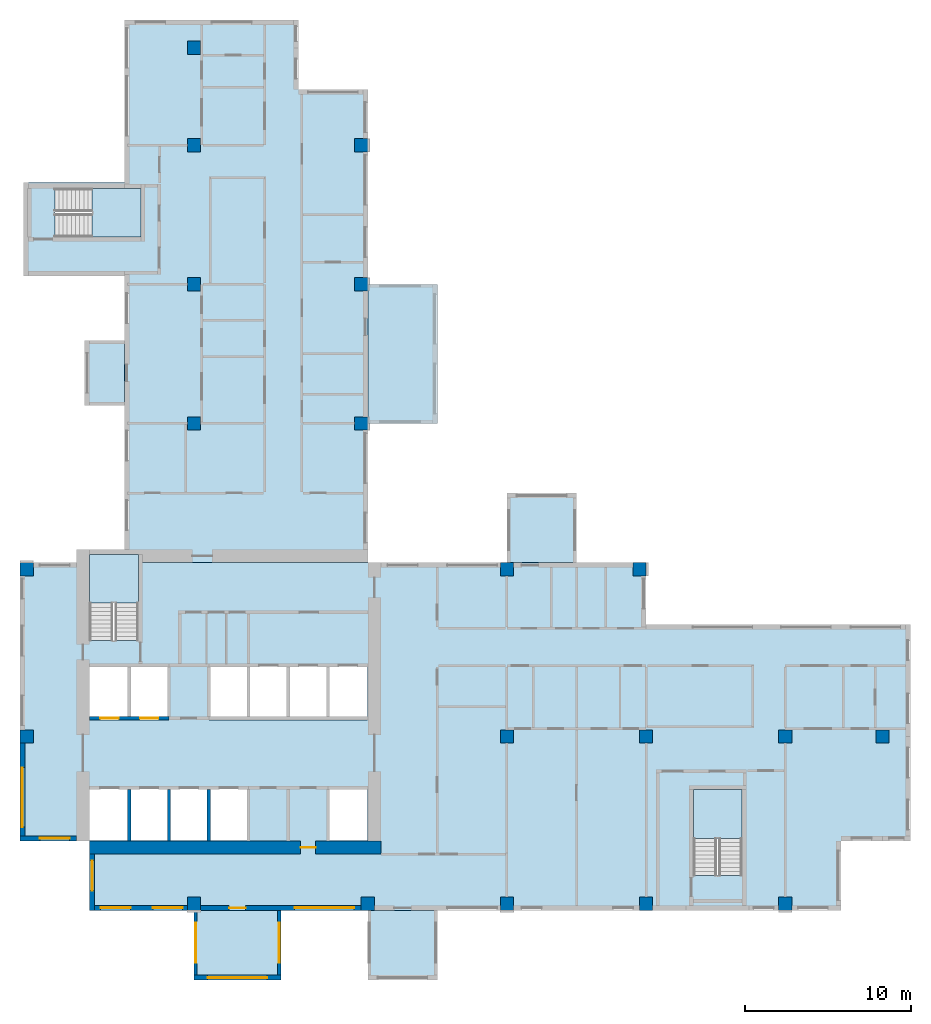
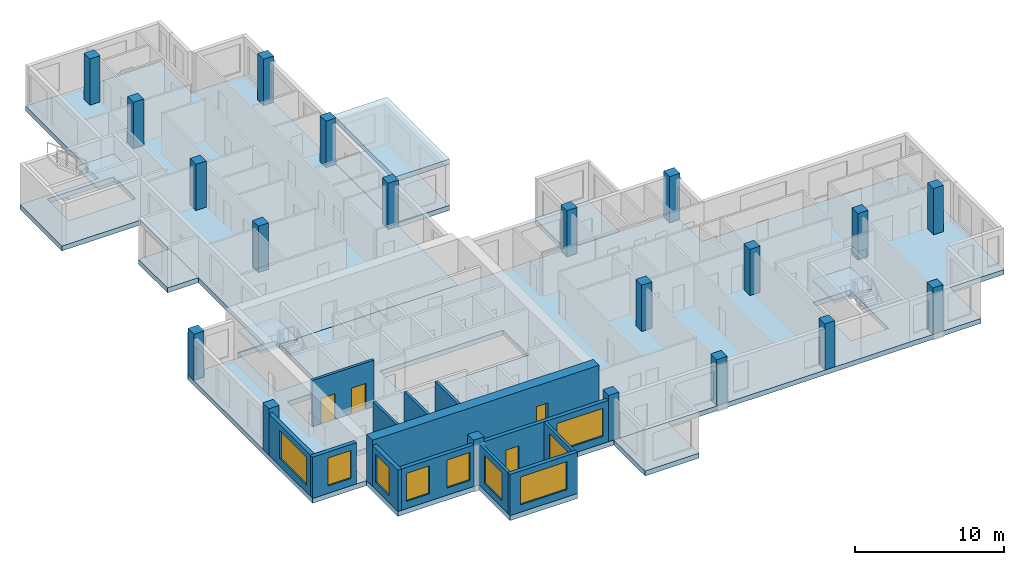
# One storey, part 1 of 12: 20 columns, 13 walls, 11 slabs, 9 windows, 4 doors, 13 openings, 3 elements without a shape of their own.
"""IFC4 building model written with IfcOpenShell, lengths in metres."""

from ifc_helpers import new_model, si_unit, direction, frame, frame_2d, origin, origin_2d, place, context, subcontext, project, spatial, polyline, rectangle, outline, extrude, source, transform, mapped, material, layer, layer_set, material_profile, profile_set, type_object, element, fill, aggregate, save


model = new_model("IFC4")

# Units and contexts
model_context = context("Model", 3, precision=1e-05, world=origin(), true_north=direction((0.0, 1.0)))
body_context = subcontext(model_context, "Body", "Model", "MODEL_VIEW")
ifc_project = project(units=[si_unit("LENGTHUNIT", "METRE"), si_unit("AREAUNIT", "SQUARE_METRE"), si_unit("VOLUMEUNIT", "CUBIC_METRE"), si_unit("PLANEANGLEUNIT", "RADIAN"), si_unit("MASSUNIT", "GRAM", prefix="KILO")], contexts=[model_context])

# Site, building, storey
site_placement = place(None, origin())
site = spatial("IfcSite", under=ifc_project, at=site_placement, CompositionType="ELEMENT")
building_placement = place(site_placement, origin())
building = spatial("IfcBuilding", under=site, at=building_placement, Name="Aurelian Terraces", CompositionType="ELEMENT")
storey_placement = place(building_placement, frame((0.0, 0.0, 242.4)))
storey = spatial("IfcBuildingStorey", under=building, at=storey_placement, Name="L55", CompositionType="ELEMENT", Elevation=242.4)

# Columns
ifc_material_1 = material(Name="Concrete fc' 70 MPa", Category="concrete")
ifc_material_profile = material_profile(ifc_material_1, rectangle(XDim=0.8, YDim=0.8, at=origin_2d()))
ifc_profile_set = profile_set([ifc_material_profile], Name="Concrete fc' 70 MPa")
column_type = type_object("IfcColumnType", Name="RC COLUMN 800X800 FC70", PredefinedType="COLUMN", material=ifc_profile_set)
shared_shape_1 = source(origin(), body_context, "Body", "SweptSolid", [
    extrude(rectangle(XDim=0.8, YDim=0.8, at=origin_2d()), origin(), (0.0, 0.0, 1.0), 3.8),
])
for number, where, z_axis, x_axis, name in (
    (1, (10.5, 0.4, 0.0), (0.0, 0.0, 1.0), (1.0, 0.0, 0.0), "Column 2/A L55"),
    (2, (21.0, 0.4, 0.0), (0.0, 0.0, 1.0), (1.0, 0.0, 0.0), "Column 3/A L55"),
    (3, (29.4, 0.4, 0.0), (0.0, 0.0, 1.0), (1.0, 0.0, 0.0), "Column 4/A L55"),
    (4, (37.8, 0.4, 0.0), (0.0, 0.0, 1.0), (1.0, 0.0, 0.0), "Column 5/A L55"),
    (5, (46.2, 0.4, 0.0), (0.0, 0.0, 1.0), (1.0, 0.0, 0.0), "Column 6/A L55"),
    (6, (0.4, 10.5, 0.0), (0.0, 0.0, 1.0), (1.0, 0.0, 0.0), "Column 1/B L55"),
    (7, (29.4, 10.5, 0.0), (0.0, 0.0, 1.0), (1.0, 0.0, 0.0), "Column 4/B L55"),
    (8, (37.8, 10.5, 0.0), (0.0, 0.0, 1.0), (1.0, 0.0, 0.0), "Column 5/B L55"),
    (9, (46.2, 10.5, 0.0), (0.0, 0.0, 1.0), (1.0, 0.0, 0.0), "Column 6/B L55"),
    (10, (52.08, 10.5, 0.0), (0.0, 0.0, 1.0), (1.0, 0.0, 0.0), "Column 7/B L55"),
    (11, (0.4, 20.6, 0.0), (0.0, 0.0, 1.0), (1.0, 0.0, 0.0), "Column 1/C L55"),
    (12, (29.4, 20.6, 0.0), (0.0, 0.0, 1.0), (1.0, 0.0, 0.0), "Column 4/C L55"),
    (13, (37.4, 20.6, 0.0), (0.0, 0.0, 1.0), (1.0, 0.0, 0.0), "Column 5/C L55"),
    (14, (10.5, 29.4, 0.0), (0.0, 0.0, 1.0), (1.0, 0.0, 0.0), "Column 2/D L55"),
    (15, (20.6, 29.4, 0.0), (0.0, 0.0, 1.0), (1.0, 0.0, 0.0), "Column 3/D L55"),
    (16, (10.5, 37.8, 0.0), (0.0, 0.0, 1.0), (1.0, 0.0, 0.0), "Column 2/E L55"),
    (17, (20.6, 37.8, 0.0), (0.0, 0.0, 1.0), (1.0, 0.0, 0.0), "Column 3/E L55"),
    (18, (10.5, 46.2, 0.0), (0.0, 0.0, 1.0), (1.0, 0.0, 0.0), "Column 2/F L55"),
    (19, (20.6, 46.2, 0.0), (0.0, 0.0, 1.0), (1.0, 0.0, 0.0), "Column 3/F L55"),
    (20, (10.5, 52.08, 0.0), (0.0, 0.0, 1.0), (1.0, 0.0, 0.0), "Column 2/G L55"),
):
    element("IfcColumn", number, at=place(storey_placement, frame(where, z_axis=z_axis, x_axis=x_axis)), inside=storey, type_object=column_type, Name=name, PredefinedType="COLUMN", context=body_context, shape_type="MappedRepresentation", body=[
        mapped(shared_shape_1, transform((0.0, 0.0, 0.0), scale=1.0)),
    ])

# Slabs
ifc_material_2 = material(Name="Concrete fc' 40 MPa", Category="concrete")
ifc_layer_1 = layer(ifc_material_2, 0.4)
ifc_layer_set_1 = layer_set([ifc_layer_1], Name="PT FLAT PLATE 400")
slab_type_1 = type_object("IfcSlabType", Name="PT FLAT PLATE 400", PredefinedType="FLOOR", material=ifc_layer_set_1)
shared_shape_2 = source(origin(), body_context, "Body", "SweptSolid", [
    extrude(outline(polyline([(0.2, 43.95), (6.3, 43.95), (6.3, 49.56), (6.3, 53.76), (10.5, 53.76), (16.8, 53.76), (16.8, 49.56), (21.0, 49.56), (21.0, 21.0), (7.14, 21.0), (7.14, 21.49), (4.21, 21.49), (4.21, 21.0), (4.2, 21.0), (4.2, 21.6), (6.3, 21.6), (6.3, 38.3), (0.2, 38.3), (0.2, 43.95)]), holes=[polyline([(7.29, 43.59), (2.11, 43.59), (2.11, 40.66), (7.29, 40.66), (7.29, 43.59)])]), origin(), (0.0, 0.0, 1.0), 0.4),
])
slab_1_placement = place(storey_placement, frame((0.0, 0.0, -0.4)))
element("IfcSlab", 21, at=slab_1_placement, inside=storey, type_object=slab_type_1, Name="Floor slab W L55", PredefinedType="FLOOR", context=body_context, shape_type="MappedRepresentation", body=[
    mapped(shared_shape_2, transform((0.0, 0.0, 0.0), scale=1.0)),
])
shared_shape_3 = source(origin(), body_context, "Body", "SweptSolid", [
    extrude(outline(polyline([(53.76, 4.2), (49.56, 4.2), (49.56, 0.0), (21.0, 0.0), (4.2, 0.0), (4.2, 4.2), (0.0, 4.2), (0.0, 21.0), (4.21, 21.0), (4.21, 16.31), (7.14, 16.31), (7.14, 21.0), (21.0, 21.0), (37.8, 21.0), (37.8, 17.25), (49.56, 17.25), (53.76, 17.25), (53.76, 16.8), (53.76, 16.65), (53.76, 4.2)]), holes=[polyline([(40.66, 2.11), (43.59, 2.11), (43.59, 7.29), (40.66, 7.29), (40.66, 2.11)]), polyline([(18.61, 7.49), (18.61, 4.21), (20.99, 4.21), (20.99, 7.49), (18.61, 7.49)]), polyline([(20.99, 14.89), (11.41, 14.89), (11.41, 11.51), (20.99, 11.51), (20.99, 14.89)]), polyline([(4.21, 7.49), (4.21, 4.21), (13.79, 4.21), (13.79, 7.49), (4.21, 7.49)]), polyline([(4.21, 14.89), (4.21, 11.51), (8.99, 11.51), (8.99, 14.89), (4.21, 14.89)])]), origin(), (0.0, 0.0, 1.0), 0.4),
])
slab_2_placement = place(storey_placement, frame((0.0, 0.0, -0.4)))
element("IfcSlab", 22, at=slab_2_placement, inside=storey, type_object=slab_type_1, Name="Floor slab S L55", PredefinedType="FLOOR", context=body_context, shape_type="MappedRepresentation", body=[
    mapped(shared_shape_3, transform((0.0, 0.0, 0.0), scale=1.0)),
])
ifc_layer_2 = layer(ifc_material_2, 0.41)
ifc_layer_set_2 = layer_set([ifc_layer_2], Name="Box floor 410")
slab_type_2 = type_object("IfcSlabType", Name="Box floor 410", PredefinedType="NOTDEFINED", material=ifc_layer_set_2)
shared_shape_4 = source(origin(), body_context, "Body", "SweptSolid", [
    extrude(outline(polyline([(25.2, 29.4), (25.2, 37.8), (21.0, 37.8), (21.0, 29.4), (25.2, 29.4)])), origin(), (0.0, 0.0, 1.0), 0.41),
])
slab_3_placement = place(storey_placement, frame((0.0, 0.0, -0.41)))
element("IfcSlab", 23, at=slab_3_placement, inside=storey, type_object=slab_type_2, Name="Box floor L55 J78", PredefinedType="NOTDEFINED", context=body_context, shape_type="MappedRepresentation", body=[
    mapped(shared_shape_4, transform((0.0, 0.0, 0.0), scale=1.0)),
])
ifc_layer_3 = layer(ifc_material_2, 0.4)
ifc_layer_set_3 = layer_set([ifc_layer_3], Name="Box roof 400")
slab_type_3 = type_object("IfcSlabType", Name="Box roof 400", PredefinedType="ROOF", material=ifc_layer_set_3)
shared_shape_5 = source(origin(), body_context, "Body", "SweptSolid", [
    extrude(outline(polyline([(25.2, 29.4), (25.2, 37.8), (21.0, 37.8), (21.0, 29.4), (25.2, 29.4)])), origin(), (0.0, 0.0, 1.0), 0.4),
])
slab_4_placement = place(storey_placement, frame((0.0, 0.0, 3.4)))
element("IfcSlab", 24, at=slab_4_placement, inside=storey, type_object=slab_type_3, Name="Box roof J78", PredefinedType="ROOF", context=body_context, shape_type="MappedRepresentation", body=[
    mapped(shared_shape_5, transform((0.0, 0.0, 0.0), scale=1.0)),
])
shared_shape_6 = source(origin(), body_context, "Body", "SweptSolid", [
    extrude(outline(polyline([(3.9, 34.4), (3.9, 30.5), (6.3, 30.5), (6.3, 34.4), (3.9, 34.4)])), origin(), (0.0, 0.0, 1.0), 0.41),
])
slab_5_placement = place(storey_placement, frame((0.0, 0.0, -0.41)))
element("IfcSlab", 25, at=slab_5_placement, inside=storey, type_object=slab_type_2, Name="Box floor L55 J82", PredefinedType="NOTDEFINED", context=body_context, shape_type="MappedRepresentation", body=[
    mapped(shared_shape_6, transform((0.0, 0.0, 0.0), scale=1.0)),
])
shared_shape_7 = source(origin(), body_context, "Body", "SweptSolid", [
    extrude(outline(polyline([(21.0, -4.2), (25.2, -4.2), (25.2, 0.0), (21.0, 0.0), (21.0, -4.2)])), origin(), (0.0, 0.0, 1.0), 0.41),
])
slab_6_placement = place(storey_placement, frame((0.0, 0.0, -0.41)))
element("IfcSlab", 26, at=slab_6_placement, inside=storey, type_object=slab_type_2, Name="Box floor L55 J80", PredefinedType="NOTDEFINED", context=body_context, shape_type="MappedRepresentation", body=[
    mapped(shared_shape_7, transform((0.0, 0.0, 0.0), scale=1.0)),
])
shared_shape_8 = source(origin(), body_context, "Body", "SweptSolid", [
    extrude(outline(polyline([(33.6, 25.2), (29.4, 25.2), (29.4, 21.0), (33.6, 21.0), (33.6, 25.2)])), origin(), (0.0, 0.0, 1.0), 0.41),
])
slab_7_placement = place(storey_placement, frame((0.0, 0.0, -0.41)))
element("IfcSlab", 27, at=slab_7_placement, inside=storey, type_object=slab_type_2, Name="Box floor L55 J81", PredefinedType="NOTDEFINED", context=body_context, shape_type="MappedRepresentation", body=[
    mapped(shared_shape_8, transform((0.0, 0.0, 0.0), scale=1.0)),
])
shared_shape_9 = source(origin(), body_context, "Body", "SweptSolid", [
    extrude(outline(polyline([(10.5, -4.2), (15.75, -4.2), (15.75, 0.0), (10.5, 0.0), (10.5, -4.2)])), origin(), (0.0, 0.0, 1.0), 0.41),
])
slab_8_placement = place(storey_placement, frame((0.0, 0.0, -0.41)))
element("IfcSlab", 28, at=slab_8_placement, inside=storey, type_object=slab_type_2, Name="Box floor L55 J79", PredefinedType="NOTDEFINED", context=body_context, shape_type="MappedRepresentation", body=[
    mapped(shared_shape_9, transform((0.0, 0.0, 0.0), scale=1.0)),
])

# Stair, slab
stair_type = type_object("IfcStairType", Name="Stair 1400", PredefinedType="HALF_TURN_STAIR", material=ifc_material_2)
stair_1_placement = place(storey_placement, origin())
stair_1 = element("IfcStair", 29, at=stair_1_placement, inside=storey, type_object=stair_type, Name="L55 S1", PredefinedType="HALF_TURN_STAIR")
ifc_layer_4 = layer(ifc_material_2, 0.2)
ifc_layer_set_4 = layer_set([ifc_layer_4], Name="Stair landing 200")
slab_type_4 = type_object("IfcSlabType", Name="Stair landing 200", PredefinedType="LANDING", material=ifc_layer_set_4)
shared_shape_10 = source(origin(), body_context, "Body", "SweptSolid", [
    extrude(outline(polyline([(7.15, 18.55), (7.15, 21.5), (4.2, 21.5), (4.2, 18.55), (7.15, 18.55)])), origin(), (0.0, 0.0, 1.0), 0.2),
])
slab_9_placement = place(storey_placement, frame((0.0, 0.0, 1.7)))
slab_9 = element("IfcSlab", 30, at=slab_9_placement, type_object=slab_type_4, Name="S1 landing 1", PredefinedType="LANDING", context=body_context, shape_type="MappedRepresentation", body=[
    mapped(shared_shape_10, transform((0.0, 0.0, 0.0), scale=1.0)),
])
aggregate(stair_1, [slab_9])

stair_2_placement = place(storey_placement, origin())
stair_2 = element("IfcStair", 31, at=stair_2_placement, inside=storey, type_object=stair_type, Name="L55 S2", PredefinedType="HALF_TURN_STAIR")
shared_shape_11 = source(origin(), body_context, "Body", "SweptSolid", [
    extrude(outline(polyline([(43.6, 4.35), (43.6, 7.3), (40.65, 7.3), (40.65, 4.35), (43.6, 4.35)])), origin(), (0.0, 0.0, 1.0), 0.2),
])
slab_10_placement = place(storey_placement, frame((0.0, 0.0, 1.7)))
slab_10 = element("IfcSlab", 32, at=slab_10_placement, type_object=slab_type_4, Name="S2 landing 1", PredefinedType="LANDING", context=body_context, shape_type="MappedRepresentation", body=[
    mapped(shared_shape_11, transform((0.0, 0.0, 0.0), scale=1.0)),
])
aggregate(stair_2, [slab_10])

stair_3_placement = place(storey_placement, origin())
stair_3 = element("IfcStair", 33, at=stair_3_placement, inside=storey, type_object=stair_type, Name="L55 S3", PredefinedType="HALF_TURN_STAIR")
shared_shape_12 = source(origin(), body_context, "Body", "SweptSolid", [
    extrude(outline(polyline([(4.35, 40.65), (7.3, 40.65), (7.3, 43.6), (4.35, 43.6), (4.35, 40.65)])), origin(), (0.0, 0.0, 1.0), 0.2),
])
slab_11_placement = place(storey_placement, frame((0.0, 0.0, 1.7)))
slab_11 = element("IfcSlab", 34, at=slab_11_placement, type_object=slab_type_4, Name="S3 landing 1", PredefinedType="LANDING", context=body_context, shape_type="MappedRepresentation", body=[
    mapped(shared_shape_12, transform((0.0, 0.0, 0.0), scale=1.0)),
])
aggregate(stair_3, [slab_11])

# Wall, opening, door
ifc_layer_5 = layer(ifc_material_1, 0.8)
ifc_layer_set_5 = layer_set([ifc_layer_5], Name="CORE WALL 800 FC70")
wall_type_1 = type_object("IfcWallType", Name="CORE WALL 800 FC70", PredefinedType="SHEAR", material=ifc_layer_set_5)
shared_shape_13 = source(origin(), body_context, "Body", "SweptSolid", [
    extrude(rectangle(XDim=17.6, YDim=0.8, at=frame_2d((8.8, 0.0))), origin(), (0.0, 0.0, 1.0), 3.8),
])
wall_1_placement = place(storey_placement, frame((4.2, 3.8, 0.0), z_axis=(0.0, 0.0, 1.0), x_axis=(1.0, 0.0, 0.0)))
wall_1 = element("IfcWall", 35, at=wall_1_placement, inside=storey, type_object=wall_type_1, Name="Core wall S L55", PredefinedType="SHEAR", context=body_context, shape_type="MappedRepresentation", body=[
    mapped(shared_shape_13, transform((0.0, 0.0, 0.0), scale=1.0)),
])
shared_shape_14 = source(origin(), body_context, "Body", "SweptSolid", [
    extrude(rectangle(XDim=0.9, YDim=2.1, at=frame_2d((0.45, 1.05))), frame((0.0, 0.41, 0.0), z_axis=(0.0, -1.0, 0.0), x_axis=(1.0, 0.0, 0.0)), (0.0, 0.0, 1.0), 0.82),
])
opening_1_placement = place(wall_1_placement, frame((12.75, 0.0, 0.0)))
opening_1 = element("IfcOpeningElement", 36, at=opening_1_placement, cuts=wall_1, Name="Opening 65827", PredefinedType="OPENING", context=body_context, shape_type="MappedRepresentation", body=[
    mapped(shared_shape_14, transform((0.0, 0.0, 0.0), scale=1.0)),
])
ifc_material_3 = material(Name="Steel door leaf", Category="steel")
door_type_1 = type_object("IfcDoorType", Name="Core service door 900x2100", OperationType="SINGLE_SWING_LEFT", PredefinedType="DOOR", material=ifc_material_3)
shared_shape_15 = source(origin(), body_context, "Body", "SweptSolid", [
    extrude(rectangle(XDim=0.9, YDim=2.1, at=frame_2d((0.45, 1.05))), frame((0.0, 0.025, 0.0), z_axis=(0.0, -1.0, 0.0), x_axis=(1.0, 0.0, 0.0)), (0.0, 0.0, 1.0), 0.05),
])
door_1_placement = place(opening_1_placement, origin())
door_1 = element("IfcDoor", 37, at=door_1_placement, inside=storey, type_object=door_type_1, Name="Core door 65827", OperationType="SINGLE_SWING_LEFT", OverallHeight=2.1, OverallWidth=0.9, PredefinedType="DOOR", context=body_context, shape_type="MappedRepresentation", body=[
    mapped(shared_shape_15, transform((0.0, 0.0, 0.0), scale=1.0)),
])
fill(opening_1, door_1)

# Wall, opening, window
ifc_material_4 = material(Name="Terracotta rainscreen cladding", Category="masonry")
ifc_layer_6 = layer(ifc_material_4, 0.3)
ifc_layer_set_6 = layer_set([ifc_layer_6], Name="EW-300")
wall_type_2 = type_object("IfcWallType", Name="EW-300", PredefinedType="STANDARD", material=ifc_layer_set_6)
shared_shape_16 = source(origin(), body_context, "Body", "SweptSolid", [
    extrude(rectangle(XDim=3.4, YDim=0.3, at=frame_2d((1.7, 0.0))), origin(), (0.0, 0.0, 1.0), 3.4),
])
wall_2_placement = place(storey_placement, frame((0.0, 4.35, 0.0), z_axis=(0.0, 0.0, 1.0), x_axis=(1.0, 0.0, 0.0)))
wall_2 = element("IfcWall", 38, at=wall_2_placement, inside=storey, type_object=wall_type_2, Name="External wall L55 F21.33", PredefinedType="STANDARD", context=body_context, shape_type="MappedRepresentation", body=[
    mapped(shared_shape_16, transform((0.0, 0.0, 0.0), scale=1.0)),
])
shared_shape_17 = source(origin(), body_context, "Body", "SweptSolid", [
    extrude(rectangle(XDim=1.8, YDim=2.3, at=frame_2d((0.9, 1.15))), frame((0.0, 0.16, 0.0), z_axis=(0.0, -1.0, 0.0), x_axis=(1.0, 0.0, 0.0)), (0.0, 0.0, 1.0), 0.32),
])
opening_2_placement = place(wall_2_placement, frame((1.2, 0.0, 0.6)))
opening_2 = element("IfcOpeningElement", 39, at=opening_2_placement, cuts=wall_2, Name="Opening W1823", PredefinedType="OPENING", context=body_context, shape_type="MappedRepresentation", body=[
    mapped(shared_shape_17, transform((0.0, 0.0, 0.0), scale=1.0)),
])
ifc_material_5 = material(Name="Clear glazing", Category="glass")
window_type_1 = type_object("IfcWindowType", Name="W-1800x2300", PartitioningType="SINGLE_PANEL", PredefinedType="WINDOW", material=ifc_material_5)
shared_shape_18 = source(origin(), body_context, "Body", "SweptSolid", [
    extrude(rectangle(XDim=1.8, YDim=2.3, at=frame_2d((0.9, 1.15))), frame((0.0, 0.03, 0.0), z_axis=(0.0, -1.0, 0.0), x_axis=(1.0, 0.0, 0.0)), (0.0, 0.0, 1.0), 0.06),
])
window_1_placement = place(opening_2_placement, origin())
window_1 = element("IfcWindow", 40, at=window_1_placement, inside=storey, type_object=window_type_1, Name="Window L55 L55-F21-33-0", OverallHeight=2.3, OverallWidth=1.8, PartitioningType="SINGLE_PANEL", PredefinedType="WINDOW", context=body_context, shape_type="MappedRepresentation", body=[
    mapped(shared_shape_18, transform((0.0, 0.0, 0.0), scale=1.0)),
])
fill(opening_2, window_1)

wall_3_placement = place(storey_placement, frame((4.35, 3.4, 0.0), z_axis=(0.0, 0.0, 1.0), x_axis=(0.0, -1.0, 0.0)))
wall_3 = element("IfcWall", 41, at=wall_3_placement, inside=storey, type_object=wall_type_2, Name="External wall L55 F22.34", PredefinedType="STANDARD", context=body_context, shape_type="MappedRepresentation", body=[
    mapped(shared_shape_16, transform((0.0, 0.0, 0.0), scale=1.0)),
])
opening_3_placement = place(wall_3_placement, frame((0.4, 0.0, 0.6)))
opening_3 = element("IfcOpeningElement", 42, at=opening_3_placement, cuts=wall_3, Name="Opening W1823", PredefinedType="OPENING", context=body_context, shape_type="MappedRepresentation", body=[
    mapped(shared_shape_17, transform((0.0, 0.0, 0.0), scale=1.0)),
])
window_2_placement = place(opening_3_placement, origin())
window_2 = element("IfcWindow", 43, at=window_2_placement, inside=storey, type_object=window_type_1, Name="Window L55 L55-F22-34-0", OverallHeight=2.3, OverallWidth=1.8, PartitioningType="SINGLE_PANEL", PredefinedType="WINDOW", context=body_context, shape_type="MappedRepresentation", body=[
    mapped(shared_shape_18, transform((0.0, 0.0, 0.0), scale=1.0)),
])
fill(opening_3, window_2)

ifc_layer_7 = layer(ifc_material_2, 0.2)
ifc_layer_set_7 = layer_set([ifc_layer_7], Name="BOX BEARING WALL 200")
wall_type_3 = type_object("IfcWallType", Name="BOX BEARING WALL 200", PredefinedType="SOLIDWALL", material=ifc_layer_set_7)
shared_shape_19 = source(origin(), body_context, "Body", "SweptSolid", [
    extrude(rectangle(XDim=3.9, YDim=0.2, at=frame_2d((1.95, 0.0))), origin(), (0.0, 0.0, 1.0), 3.39),
])
wall_4_placement = place(storey_placement, frame((10.6, 0.0, 0.0), z_axis=(0.0, 0.0, 1.0), x_axis=(0.0, -1.0, 0.0)))
wall_4 = element("IfcWall", 44, at=wall_4_placement, inside=storey, type_object=wall_type_3, Name="Box return L55 J79.1", PredefinedType="SOLIDWALL", context=body_context, shape_type="MappedRepresentation", body=[
    mapped(shared_shape_19, transform((0.0, 0.0, 0.0), scale=1.0)),
])
shared_shape_20 = source(origin(), body_context, "Body", "SweptSolid", [
    extrude(rectangle(XDim=2.4, YDim=2.3, at=frame_2d((1.2, 1.15))), frame((0.0, 0.11, 0.0), z_axis=(0.0, -1.0, 0.0), x_axis=(1.0, 0.0, 0.0)), (0.0, 0.0, 1.0), 0.22),
])
opening_4_placement = place(wall_4_placement, frame((0.75, 0.0, 0.6)))
opening_4 = element("IfcOpeningElement", 45, at=opening_4_placement, cuts=wall_4, Name="Opening W2423", PredefinedType="OPENING", context=body_context, shape_type="MappedRepresentation", body=[
    mapped(shared_shape_20, transform((0.0, 0.0, 0.0), scale=1.0)),
])
window_type_2 = type_object("IfcWindowType", Name="W-2400x2300", PartitioningType="SINGLE_PANEL", PredefinedType="WINDOW", material=ifc_material_5)
shared_shape_21 = source(origin(), body_context, "Body", "SweptSolid", [
    extrude(rectangle(XDim=2.4, YDim=2.3, at=frame_2d((1.2, 1.15))), frame((0.0, 0.03, 0.0), z_axis=(0.0, -1.0, 0.0), x_axis=(1.0, 0.0, 0.0)), (0.0, 0.0, 1.0), 0.06),
])
window_3_placement = place(opening_4_placement, origin())
window_3 = element("IfcWindow", 46, at=window_3_placement, inside=storey, type_object=window_type_2, Name="Window L55 J79-S1", OverallHeight=2.3, OverallWidth=2.4, PartitioningType="SINGLE_PANEL", PredefinedType="WINDOW", context=body_context, shape_type="MappedRepresentation", body=[
    mapped(shared_shape_21, transform((0.0, 0.0, 0.0), scale=1.0)),
])
fill(opening_4, window_3)

wall_5_placement = place(storey_placement, frame((15.65, 0.0, 0.0), z_axis=(0.0, 0.0, 1.0), x_axis=(0.0, -1.0, 0.0)))
wall_5 = element("IfcWall", 47, at=wall_5_placement, inside=storey, type_object=wall_type_3, Name="Box return L55 J79.2", PredefinedType="SOLIDWALL", context=body_context, shape_type="MappedRepresentation", body=[
    mapped(shared_shape_19, transform((0.0, 0.0, 0.0), scale=1.0)),
])
opening_5_placement = place(wall_5_placement, frame((0.75, 0.0, 0.6)))
opening_5 = element("IfcOpeningElement", 48, at=opening_5_placement, cuts=wall_5, Name="Opening W2423", PredefinedType="OPENING", context=body_context, shape_type="MappedRepresentation", body=[
    mapped(shared_shape_20, transform((0.0, 0.0, 0.0), scale=1.0)),
])
window_4_placement = place(opening_5_placement, origin())
window_4 = element("IfcWindow", 49, at=window_4_placement, inside=storey, type_object=window_type_2, Name="Window L55 J79-S2", OverallHeight=2.3, OverallWidth=2.4, PartitioningType="SINGLE_PANEL", PredefinedType="WINDOW", context=body_context, shape_type="MappedRepresentation", body=[
    mapped(shared_shape_21, transform((0.0, 0.0, 0.0), scale=1.0)),
])
fill(opening_5, window_4)

ifc_layer_8 = layer(ifc_material_2, 0.3)
ifc_layer_set_8 = layer_set([ifc_layer_8], Name="BOX BEARING WALL 300")
wall_type_4 = type_object("IfcWallType", Name="BOX BEARING WALL 300", PredefinedType="SOLIDWALL", material=ifc_layer_set_8)
shared_shape_22 = source(origin(), body_context, "Body", "SweptSolid", [
    extrude(rectangle(XDim=5.25, YDim=0.3, at=frame_2d((2.625, 0.0))), origin(), (0.0, 0.0, 1.0), 3.39),
])
wall_6_placement = place(storey_placement, frame((10.5, -4.05, 0.0), z_axis=(0.0, 0.0, 1.0), x_axis=(1.0, 0.0, 0.0)))
wall_6 = element("IfcWall", 50, at=wall_6_placement, inside=storey, type_object=wall_type_4, Name="Box wall L55 J79", PredefinedType="SOLIDWALL", context=body_context, shape_type="MappedRepresentation", body=[
    mapped(shared_shape_22, transform((0.0, 0.0, 0.0), scale=1.0)),
])
shared_shape_23 = source(origin(), body_context, "Body", "SweptSolid", [
    extrude(rectangle(XDim=3.6, YDim=2.3, at=frame_2d((1.8, 1.15))), frame((0.0, 0.16, 0.0), z_axis=(0.0, -1.0, 0.0), x_axis=(1.0, 0.0, 0.0)), (0.0, 0.0, 1.0), 0.32),
])
opening_6_placement = place(wall_6_placement, frame((0.825, 0.0, 0.6)))
opening_6 = element("IfcOpeningElement", 51, at=opening_6_placement, cuts=wall_6, Name="Opening W3623", PredefinedType="OPENING", context=body_context, shape_type="MappedRepresentation", body=[
    mapped(shared_shape_23, transform((0.0, 0.0, 0.0), scale=1.0)),
])
window_type_3 = type_object("IfcWindowType", Name="W-3600x2300", PartitioningType="SINGLE_PANEL", PredefinedType="WINDOW", material=ifc_material_5)
shared_shape_24 = source(origin(), body_context, "Body", "SweptSolid", [
    extrude(rectangle(XDim=3.6, YDim=2.3, at=frame_2d((1.8, 1.15))), frame((0.0, 0.03, 0.0), z_axis=(0.0, -1.0, 0.0), x_axis=(1.0, 0.0, 0.0)), (0.0, 0.0, 1.0), 0.06),
])
window_5_placement = place(opening_6_placement, origin())
window_5 = element("IfcWindow", 52, at=window_5_placement, inside=storey, type_object=window_type_3, Name="Window L55 J79-F1", OverallHeight=2.3, OverallWidth=3.6, PartitioningType="SINGLE_PANEL", PredefinedType="WINDOW", context=body_context, shape_type="MappedRepresentation", body=[
    mapped(shared_shape_24, transform((0.0, 0.0, 0.0), scale=1.0)),
])
fill(opening_6, window_5)

# Wall, openings, windows
shared_shape_25 = source(origin(), body_context, "Body", "SweptSolid", [
    extrude(rectangle(XDim=5.9, YDim=0.3, at=frame_2d((2.95, 0.0))), origin(), (0.0, 0.0, 1.0), 3.4),
])
wall_7_placement = place(storey_placement, frame((4.2, 0.15, 0.0), z_axis=(0.0, 0.0, 1.0), x_axis=(1.0, 0.0, 0.0)))
wall_7 = element("IfcWall", 53, at=wall_7_placement, inside=storey, type_object=wall_type_2, Name="External wall L55 F01.1", PredefinedType="STANDARD", context=body_context, shape_type="MappedRepresentation", body=[
    mapped(shared_shape_25, transform((0.0, 0.0, 0.0), scale=1.0)),
])
opening_7_placement = place(wall_7_placement, frame((0.675, 0.0, 0.6)))
opening_7 = element("IfcOpeningElement", 54, at=opening_7_placement, cuts=wall_7, Name="Opening W1823", PredefinedType="OPENING", context=body_context, shape_type="MappedRepresentation", body=[
    mapped(shared_shape_17, transform((0.0, 0.0, 0.0), scale=1.0)),
])
opening_8_placement = place(wall_7_placement, frame((3.825, 0.0, 0.6)))
opening_8 = element("IfcOpeningElement", 55, at=opening_8_placement, cuts=wall_7, Name="Opening W1823", PredefinedType="OPENING", context=body_context, shape_type="MappedRepresentation", body=[
    mapped(shared_shape_17, transform((0.0, 0.0, 0.0), scale=1.0)),
])
window_6_placement = place(opening_7_placement, origin())
window_6 = element("IfcWindow", 56, at=window_6_placement, inside=storey, type_object=window_type_1, Name="Window L55 L55-F01-01-0", OverallHeight=2.3, OverallWidth=1.8, PartitioningType="SINGLE_PANEL", PredefinedType="WINDOW", context=body_context, shape_type="MappedRepresentation", body=[
    mapped(shared_shape_18, transform((0.0, 0.0, 0.0), scale=1.0)),
])
fill(opening_7, window_6)
window_7_placement = place(opening_8_placement, origin())
window_7 = element("IfcWindow", 57, at=window_7_placement, inside=storey, type_object=window_type_1, Name="Window L55 L55-F01-01-1", OverallHeight=2.3, OverallWidth=1.8, PartitioningType="SINGLE_PANEL", PredefinedType="WINDOW", context=body_context, shape_type="MappedRepresentation", body=[
    mapped(shared_shape_18, transform((0.0, 0.0, 0.0), scale=1.0)),
])
fill(opening_8, window_7)

# Wall, opening, window
wall_8_placement = place(storey_placement, frame((0.15, 10.1, 0.0), z_axis=(0.0, 0.0, 1.0), x_axis=(0.0, -1.0, 0.0)))
wall_8 = element("IfcWall", 58, at=wall_8_placement, inside=storey, type_object=wall_type_2, Name="External wall L55 F20.32", PredefinedType="STANDARD", context=body_context, shape_type="MappedRepresentation", body=[
    mapped(shared_shape_25, transform((0.0, 0.0, 0.0), scale=1.0)),
])
opening_9_placement = place(wall_8_placement, frame((1.475, 0.0, 0.6)))
opening_9 = element("IfcOpeningElement", 59, at=opening_9_placement, cuts=wall_8, Name="Opening W3623", PredefinedType="OPENING", context=body_context, shape_type="MappedRepresentation", body=[
    mapped(shared_shape_23, transform((0.0, 0.0, 0.0), scale=1.0)),
])
window_8_placement = place(opening_9_placement, origin())
window_8 = element("IfcWindow", 60, at=window_8_placement, inside=storey, type_object=window_type_3, Name="Window L55 L55-F20-32-3", OverallHeight=2.3, OverallWidth=3.6, PartitioningType="SINGLE_PANEL", PredefinedType="WINDOW", context=body_context, shape_type="MappedRepresentation", body=[
    mapped(shared_shape_24, transform((0.0, 0.0, 0.0), scale=1.0)),
])
fill(opening_9, window_8)

# Wall, openings, window, door
shared_shape_26 = source(origin(), body_context, "Body", "SweptSolid", [
    extrude(rectangle(XDim=9.7, YDim=0.3, at=frame_2d((4.85, 0.0))), origin(), (0.0, 0.0, 1.0), 3.4),
])
wall_9_placement = place(storey_placement, frame((10.9, 0.15, 0.0), z_axis=(0.0, 0.0, 1.0), x_axis=(1.0, 0.0, 0.0)))
wall_9 = element("IfcWall", 61, at=wall_9_placement, inside=storey, type_object=wall_type_2, Name="External wall L55 F01.2", PredefinedType="STANDARD", context=body_context, shape_type="MappedRepresentation", body=[
    mapped(shared_shape_26, transform((0.0, 0.0, 0.0), scale=1.0)),
])
opening_10_placement = place(wall_9_placement, frame((5.675, 0.0, 0.6)))
opening_10 = element("IfcOpeningElement", 62, at=opening_10_placement, cuts=wall_9, Name="Opening W3623", PredefinedType="OPENING", context=body_context, shape_type="MappedRepresentation", body=[
    mapped(shared_shape_23, transform((0.0, 0.0, 0.0), scale=1.0)),
])
shared_shape_27 = source(origin(), body_context, "Body", "SweptSolid", [
    extrude(rectangle(XDim=1.0, YDim=2.1, at=frame_2d((0.5, 1.05))), frame((0.0, 0.16, 0.0), z_axis=(0.0, -1.0, 0.0), x_axis=(1.0, 0.0, 0.0)), (0.0, 0.0, 1.0), 0.32),
])
opening_11_placement = place(wall_9_placement, frame((1.725, 0.0, 0.0)))
opening_11 = element("IfcOpeningElement", 63, at=opening_11_placement, cuts=wall_9, Name="Opening 855002", PredefinedType="OPENING", context=body_context, shape_type="MappedRepresentation", body=[
    mapped(shared_shape_27, transform((0.0, 0.0, 0.0), scale=1.0)),
])
window_9_placement = place(opening_10_placement, origin())
window_9 = element("IfcWindow", 64, at=window_9_placement, inside=storey, type_object=window_type_3, Name="Window L55 L55-F01-02-1", OverallHeight=2.3, OverallWidth=3.6, PartitioningType="SINGLE_PANEL", PredefinedType="WINDOW", context=body_context, shape_type="MappedRepresentation", body=[
    mapped(shared_shape_24, transform((0.0, 0.0, 0.0), scale=1.0)),
])
fill(opening_10, window_9)
ifc_material_6 = material(Name="Timber door leaf", Category="wood")
door_type_2 = type_object("IfcDoorType", Name="Room door 1000x2100 left", OperationType="SINGLE_SWING_LEFT", PredefinedType="DOOR", material=ifc_material_6)
shared_shape_28 = source(origin(), body_context, "Body", "SweptSolid", [
    extrude(rectangle(XDim=1.0, YDim=2.1, at=frame_2d((0.5, 1.05))), frame((0.0, 0.025, 0.0), z_axis=(0.0, -1.0, 0.0), x_axis=(1.0, 0.0, 0.0)), (0.0, 0.0, 1.0), 0.05),
])
door_2_placement = place(opening_11_placement, origin())
door_2 = element("IfcDoor", 65, at=door_2_placement, inside=storey, type_object=door_type_2, Name="Door 855002", OperationType="SINGLE_SWING_LEFT", OverallHeight=2.1, OverallWidth=1.0, PredefinedType="DOOR", context=body_context, shape_type="MappedRepresentation", body=[
    mapped(shared_shape_28, transform((0.0, 0.0, 0.0), scale=1.0)),
])
fill(opening_11, door_2)

# Walls
ifc_layer_9 = layer(ifc_material_2, 0.2)
ifc_layer_set_9 = layer_set([ifc_layer_9], Name="Lift shaft wall 200")
wall_type_5 = type_object("IfcWallType", Name="Lift shaft wall 200", PredefinedType="SOLIDWALL", material=ifc_layer_set_9)
shared_shape_29 = source(origin(), body_context, "Body", "SweptSolid", [
    extrude(rectangle(XDim=3.1, YDim=0.2, at=frame_2d((1.55, 0.0))), origin(), (0.0, 0.0, 1.0), 3.8),
])
for number, where, z_axis, x_axis, name in (
    (66, (6.6, 4.2, 0.0), (0.0, 0.0, 1.0), (0.0, 1.0, 0.0), "L55 core wall CD-A1"),
    (67, (9.0, 4.2, 0.0), (0.0, 0.0, 1.0), (0.0, 1.0, 0.0), "L55 core wall CD-A2"),
    (68, (11.4, 4.2, 0.0), (0.0, 0.0, 1.0), (0.0, 1.0, 0.0), "L55 core wall CD-A3"),
):
    element("IfcWall", number, at=place(storey_placement, frame(where, z_axis=z_axis, x_axis=x_axis)), inside=storey, type_object=wall_type_5, Name=name, PredefinedType="SOLIDWALL", context=body_context, shape_type="MappedRepresentation", body=[
        mapped(shared_shape_29, transform((0.0, 0.0, 0.0), scale=1.0)),
    ])

# Wall, openings, doors
shared_shape_30 = source(origin(), body_context, "Body", "SweptSolid", [
    extrude(rectangle(XDim=4.8, YDim=0.2, at=frame_2d((2.4, 0.0))), origin(), (0.0, 0.0, 1.0), 3.8),
])
wall_10_placement = place(storey_placement, frame((4.2, 11.6, 0.0), z_axis=(0.0, 0.0, 1.0), x_axis=(1.0, 0.0, 0.0)))
wall_10 = element("IfcWall", 69, at=wall_10_placement, inside=storey, type_object=wall_type_5, Name="L55 core wall CF-BF1", PredefinedType="SOLIDWALL", context=body_context, shape_type="MappedRepresentation", body=[
    mapped(shared_shape_30, transform((0.0, 0.0, 0.0), scale=1.0)),
])
shared_shape_31 = source(origin(), body_context, "Body", "SweptSolid", [
    extrude(rectangle(XDim=1.1, YDim=2.1, at=frame_2d((0.55, 1.05))), frame((0.0, 0.11, 0.0), z_axis=(0.0, -1.0, 0.0), x_axis=(1.0, 0.0, 0.0)), (0.0, 0.0, 1.0), 0.22),
])
opening_12_placement = place(wall_10_placement, frame((0.65, 0.0, 0.0)))
opening_12 = element("IfcOpeningElement", 70, at=opening_12_placement, cuts=wall_10, Name="Opening 65806", PredefinedType="OPENING", context=body_context, shape_type="MappedRepresentation", body=[
    mapped(shared_shape_31, transform((0.0, 0.0, 0.0), scale=1.0)),
])
opening_13_placement = place(wall_10_placement, frame((3.05, 0.0, 0.0)))
opening_13 = element("IfcOpeningElement", 71, at=opening_13_placement, cuts=wall_10, Name="Opening 65807", PredefinedType="OPENING", context=body_context, shape_type="MappedRepresentation", body=[
    mapped(shared_shape_31, transform((0.0, 0.0, 0.0), scale=1.0)),
])
ifc_material_7 = material(Name="Stainless steel", Category="steel")
door_type_3 = type_object("IfcDoorType", Name="Lift landing door 1100x2100", OperationType="SLIDING_TO_LEFT", PredefinedType="DOOR", material=ifc_material_7)
shared_shape_32 = source(origin(), body_context, "Body", "SweptSolid", [
    extrude(rectangle(XDim=1.1, YDim=2.1, at=frame_2d((0.55, 1.05))), frame((0.0, 0.025, 0.0), z_axis=(0.0, -1.0, 0.0), x_axis=(1.0, 0.0, 0.0)), (0.0, 0.0, 1.0), 0.05),
])
door_3_placement = place(opening_12_placement, origin())
door_3 = element("IfcDoor", 72, at=door_3_placement, inside=storey, type_object=door_type_3, Name="Lift landing door LM5 L55", OperationType="SLIDING_TO_LEFT", OverallHeight=2.1, OverallWidth=1.1, PredefinedType="DOOR", context=body_context, shape_type="MappedRepresentation", body=[
    mapped(shared_shape_32, transform((0.0, 0.0, 0.0), scale=1.0)),
])
fill(opening_12, door_3)
door_4_placement = place(opening_13_placement, origin())
door_4 = element("IfcDoor", 73, at=door_4_placement, inside=storey, type_object=door_type_3, Name="Lift landing door LM6 L55", OperationType="SLIDING_TO_LEFT", OverallHeight=2.1, OverallWidth=1.1, PredefinedType="DOOR", context=body_context, shape_type="MappedRepresentation", body=[
    mapped(shared_shape_32, transform((0.0, 0.0, 0.0), scale=1.0)),
])
fill(opening_13, door_4)

save(model, "model.ifc")
